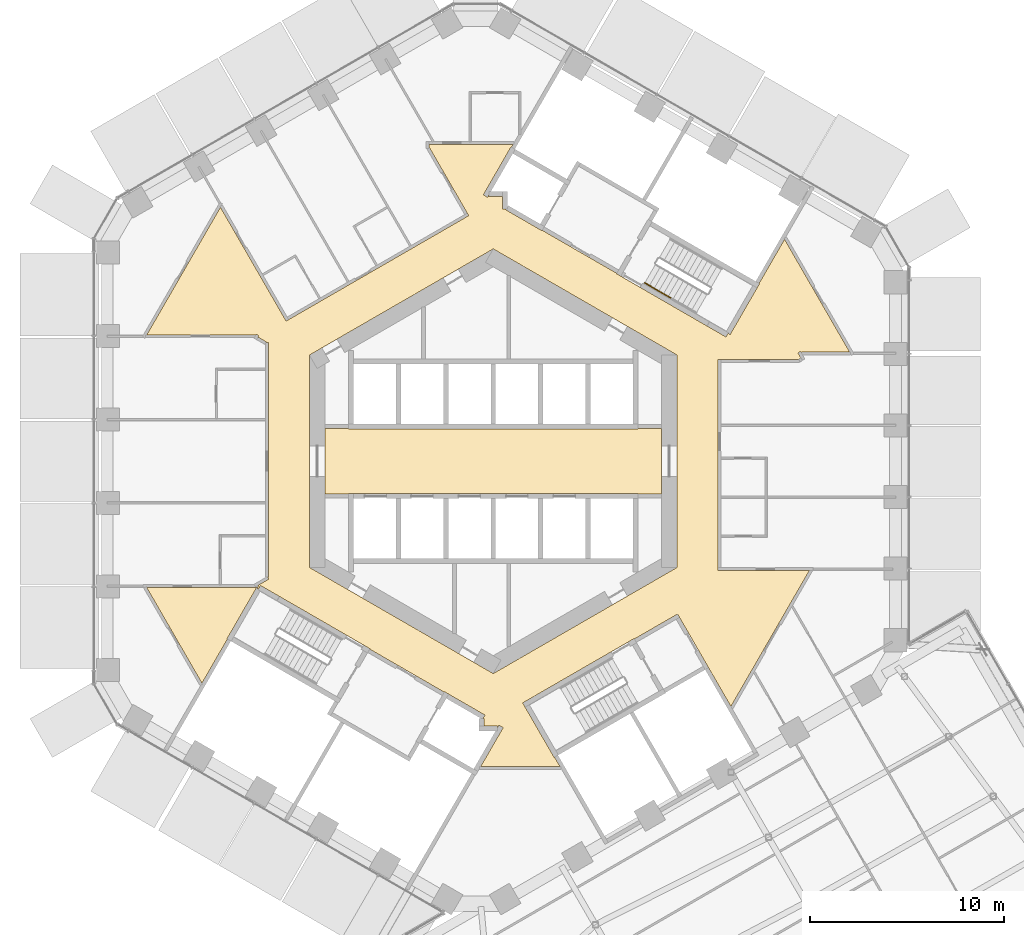
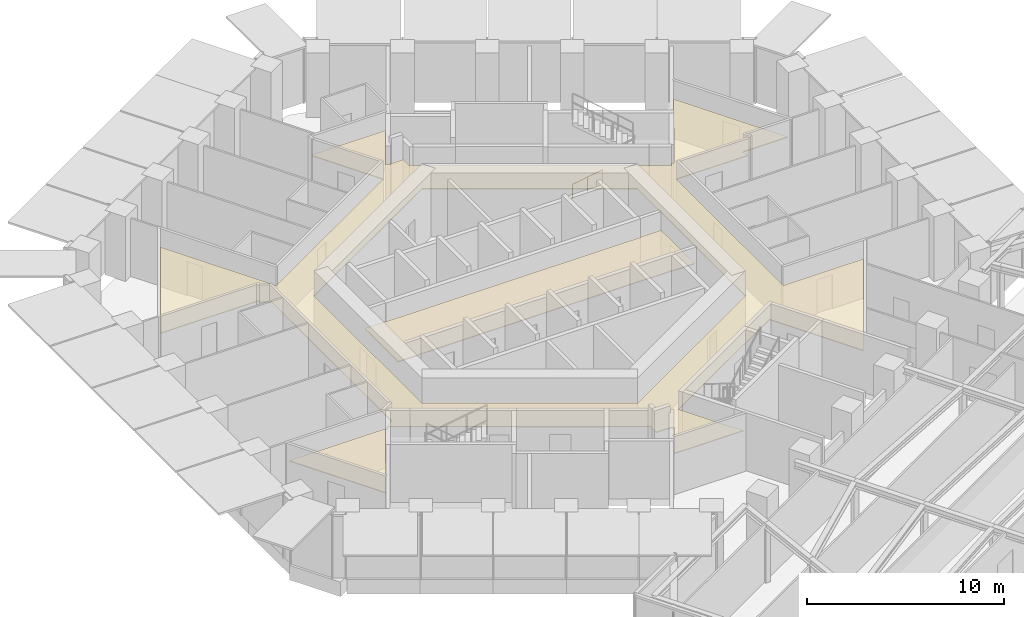
# One storey, part 27 of 28: 2 coverings, 1 railing.
"""IFC4 building model written with IfcOpenShell, lengths in metres."""

from ifc_helpers import new_model, si_unit, direction, frame, origin, origin_2d, place, context, subcontext, project, spatial, polyline, circle, outline, extrude, material, layer, layer_set, type_object, element, save


model = new_model("IFC4")

# Units and contexts
model_context = context("Model", 3, precision=1e-05, world=origin(), true_north=direction((0.0, 1.0)))
body_context = subcontext(model_context, "Body", "Model", "MODEL_VIEW")
ifc_project = project(units=[si_unit("LENGTHUNIT", "METRE"), si_unit("AREAUNIT", "SQUARE_METRE"), si_unit("VOLUMEUNIT", "CUBIC_METRE"), si_unit("PLANEANGLEUNIT", "RADIAN"), si_unit("MASSUNIT", "GRAM", prefix="KILO")], contexts=[model_context])

# Site, building, storey
site_placement = place(None, origin())
site = spatial("IfcSite", under=ifc_project, at=site_placement, CompositionType="ELEMENT")
building_placement = place(site_placement, origin())
building = spatial("IfcBuilding", under=site, at=building_placement, Name="Ayvan Gate Tower", CompositionType="ELEMENT")
storey_placement = place(building_placement, frame((0.0, 0.0, 74.300048828125)))
storey = spatial("IfcBuildingStorey", under=building, at=storey_placement, Name="L19", CompositionType="ELEMENT", Elevation=74.300048828125)

# Coverings
ifc_material_1 = material(Name="Plasterboard suspended ceiling")
ifc_layer = layer(ifc_material_1, 0.050048828125)
ifc_layer_set = layer_set([ifc_layer], Name="Plasterboard suspended ceiling")
covering_type = type_object("IfcCoveringType", Name="CT-SUSP-50", PredefinedType="CEILING", material=ifc_layer_set)
covering_1_placement = place(storey_placement, frame((0.0, 0.0, 2.39990234375)))
element("IfcCovering", 1, at=covering_1_placement, inside=storey, type_object=covering_type, Name="Ceiling Lift Lobby L19", PredefinedType="CEILING", context=body_context, shape_type="SweptSolid", body=[
    extrude(outline(polyline([(7.47509765625, -1.675048828125), (-7.47509765625, -1.675048828125), (-7.47509765625, -1.699951171875), (-8.699951171875, -1.699951171875), (-8.699951171875, 1.699951171875), (-7.47509765625, 1.699951171875), (-7.47509765625, 1.675048828125), (7.47509765625, 1.675048828125), (7.47509765625, 1.699951171875), (8.699951171875, 1.699951171875), (8.699951171875, -1.699951171875), (7.47509765625, -1.699951171875), (7.47509765625, -1.675048828125)])), origin(), (0.0, 0.0, 1.0), 0.050048828125),
])
covering_2_placement = place(storey_placement, frame((0.0, 0.0, 2.39990234375)))
element("IfcCovering", 2, at=covering_2_placement, inside=storey, type_object=covering_type, Name="Ceiling Ring Corridor L19", PredefinedType="CEILING", context=body_context, shape_type="SweptSolid", body=[
    extrude(outline(polyline([(-15.051025390625, -11.468994140625), (-17.902099609375, -6.53076171875), (-12.14404296875, -6.53076171875), (-12.14404296875, -6.4052734375), (-11.597412109375, -6.089599609375), (-11.656494140625, -5.9873046875), (-11.625, -5.9873046875), (-11.625, 6.13720703125), (-11.743408203125, 6.13720703125), (-11.7275390625, 6.164794921875), (-12.1572265625, 6.412841796875), (-12.11669921875, 6.4833984375), (-12.24658203125, 6.558349609375), (-12.294189453125, 6.475830078125), (-12.294189453125, 6.53076171875), (-17.902099609375, 6.53076171875), (-14.095703125, 13.12353515625), (-10.701904296875, 7.24462890625), (-10.57177734375, 7.319580078125), (-1.269775390625, 12.690185546875), (-1.334716796875, 12.802978515625), (-3.297607421875, 16.202880859375), (-3.324951171875, 16.18701171875), (-3.324951171875, 16.3701171875), (1.02197265625, 16.3701171875), (0.9404296875, 16.22900390625), (0.918701171875, 16.241455078125), (-0.511474609375, 13.76416015625), (-0.294921875, 13.63916015625), (-0.215576171875, 13.776611328125), (-0.215576171875, 13.68505859375), (0.47509765625, 13.68505859375), (0.47509765625, 13.03857421875), (0.672119140625, 13.03857421875), (0.645751953125, 12.992919921875), (2.518310546875, 11.91162109375), (2.53076171875, 11.933349609375), (6.384521484375, 9.70849609375), (6.3720703125, 9.686767578125), (6.588623046875, 9.561767578125), (11.03759765625, 6.9931640625), (12.02294921875, 6.42431640625), (12.130126953125, 6.60986328125), (12.23828125, 6.54736328125), (13.631103515625, 8.959716796875), (13.756103515625, 9.176513671875), (13.734619140625, 9.188720703125), (15.051025390625, 11.468994140625), (18.4130859375, 5.6455078125), (15.924072265625, 5.6455078125), (15.924072265625, 5.5908203125), (15.876708984375, 5.673095703125), (15.74658203125, 5.59814453125), (15.896484375, 5.33837890625), (15.783203125, 5.273193359375), (15.799072265625, 5.24560546875), (11.625, 5.24560546875), (11.625, -5.6455078125), (16.334716796875, -5.6455078125), (12.27978515625, -12.669189453125), (11.123779296875, -10.667236328125), (9.623779296875, -8.069091796875), (9.52392578125, -7.89599609375), (7.2939453125, -9.183349609375), (7.281494140625, -9.16162109375), (1.522216796875, -12.48681640625), (1.647216796875, -12.703369140625), (3.147216796875, -15.30126953125), (3.1689453125, -15.288818359375), (3.4462890625, -15.76904296875), (-0.64599609375, -15.76904296875), (0.511474609375, -13.76416015625), (0.294921875, -13.63916015625), (0.215576171875, -13.776611328125), (0.215576171875, -13.68505859375), (-0.47509765625, -13.68505859375), (-0.47509765625, -13.28857421875), (-0.52783203125, -13.28857421875), (-0.42919921875, -13.117919921875), (-2.284423828125, -12.046630859375), (-2.518310546875, -11.91162109375), (-2.53076171875, -11.933349609375), (-6.384521484375, -9.70849609375), (-6.3720703125, -9.686767578125), (-11.03759765625, -6.9931640625), (-12.02294921875, -6.42431640625), (-12.130126953125, -6.60986328125), (-12.23828125, -6.54736328125), (-13.756103515625, -9.17626953125), (-13.734619140625, -9.188720703125), (-15.051025390625, -11.468994140625)]), holes=[polyline([(9.5, 5.48486328125), (2.808349609375, 9.34814453125), (0.0, 10.9697265625), (-2.808349609375, 9.34814453125), (-9.5, 5.48486328125), (-9.5, -5.48486328125), (-2.808349609375, -9.34814453125), (0.0, -10.9697265625), (2.808349609375, -9.34814453125), (9.5, -5.48486328125), (9.5, 5.48486328125)])]), origin(), (0.0, 0.0, 1.0), 0.050048828125),
])

# Railing
ifc_material_2 = material(Name="Stainless steel balustrade", Category="steel")
railing_type = type_object("IfcRailingType", Name="RL-HANDRAIL-900", PredefinedType="HANDRAIL", material=ifc_material_2)
railing_placement = place(storey_placement, frame((7.8310546875, 9.2138671875, 0.16650390625)))
element("IfcRailing", 3, at=railing_placement, inside=storey, type_object=railing_type, Name="L19 STS1 stair handrail 1", PredefinedType="HANDRAIL", context=body_context, shape_type="SweptSolid", body=[
    extrude(circle(Radius=0.02392578125, at=origin_2d()), frame((0.0, 0.0, 0.8759765625), z_axis=(0.7441639146, -0.429634447492, 0.511502013422), x_axis=(0.499992328818, 0.866029832698, 0.0)), (0.0, 0.0, 1.0), 1.792236328125),
    extrude(circle(Radius=0.02099609375, at=origin_2d()), origin(), (0.0, 0.0, 1.0), 0.851806640625),
    extrude(circle(Radius=0.02099609375, at=origin_2d()), frame((0.6669921875, -0.385009765625, 0.45849609375)), (0.0, 0.0, 1.0), 0.851806640625),
    extrude(circle(Radius=0.02099609375, at=origin_2d()), frame((1.333740234375, -0.77001953125, 0.916748046875)), (0.0, 0.0, 1.0), 0.851806640625),
])

save(model, "model.ifc")
